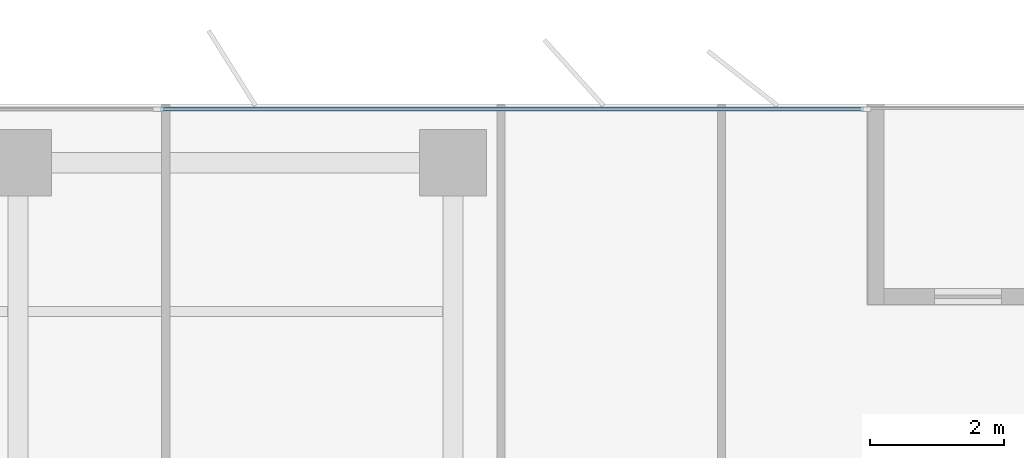
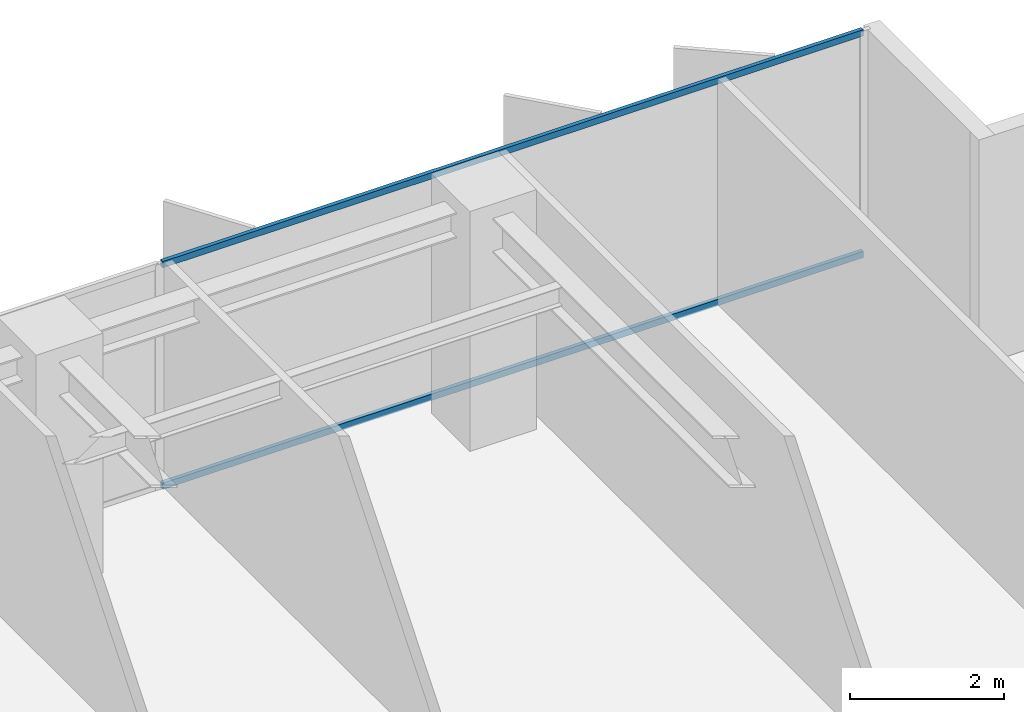
# One storey, part 11 of 22: 2 members, 1 element without a shape of its own.
"""IFC4 building model written with IfcOpenShell, lengths in metres."""

from ifc_helpers import new_model, si_unit, direction, frame, origin, origin_2d, place, context, subcontext, project, spatial, rectangle, extrude, material, layer, layer_set, material_profile, profile_set, type_object, element, aggregate, save


model = new_model("IFC4")

# Units and contexts
model_context = context("Model", 3, precision=1e-05, world=origin(), true_north=direction((0.0, 1.0)))
body_context = subcontext(model_context, "Body", "Model", "MODEL_VIEW")
ifc_project = project(units=[si_unit("LENGTHUNIT", "METRE"), si_unit("AREAUNIT", "SQUARE_METRE"), si_unit("VOLUMEUNIT", "CUBIC_METRE"), si_unit("PLANEANGLEUNIT", "RADIAN"), si_unit("MASSUNIT", "GRAM", prefix="KILO")], contexts=[model_context])

# Site, building, storey
site_placement = place(None, origin())
site = spatial("IfcSite", under=ifc_project, at=site_placement, CompositionType="ELEMENT")
building_placement = place(site_placement, origin())
building = spatial("IfcBuilding", under=site, at=building_placement, Name="Putna Gate Headquarters", CompositionType="ELEMENT")
storey_placement = place(building_placement, frame((0.0, 0.0, 189.800048828125)))
storey = spatial("IfcBuildingStorey", under=building, at=storey_placement, Name="L47", CompositionType="ELEMENT", Elevation=189.800048828125)

# Curtain wall, members
ifc_material_1 = material(Name="Anodised bronze aluminium curtain wall", Category="aluminium")
ifc_layer = layer(ifc_material_1, 0.159912109375)
ifc_layer_set = layer_set([ifc_layer], Name="Anodised bronze aluminium curtain wall")
curtain_wall_type = type_object("IfcCurtainWallType", Name="CW-SYS-Z3", PredefinedType="USERDEFINED", material=ifc_layer_set)
curtain_wall_placement = place(storey_placement, origin())
curtain_wall = element("IfcCurtainWall", 1, at=curtain_wall_placement, inside=storey, type_object=curtain_wall_type, Name="L47 North East Curtain Wall", ObjectType="STICK CURTAIN WALL", PredefinedType="USERDEFINED")
ifc_material_2 = material(Name="Anodised bronze aluminium EN AW-6060", Category="aluminium")
ifc_material_profile = material_profile(ifc_material_2, rectangle(XDim=0.06005859375, YDim=0.10009765625, at=origin_2d()), Name="Anodised bronze aluminium EN AW-6060")
ifc_profile_set = profile_set([ifc_material_profile], Name="Anodised bronze aluminium EN AW-6060")
member_type = type_object("IfcMemberType", Name="TRAN-CWT-3", PredefinedType="USERDEFINED", material=ifc_profile_set)
member_1_placement = place(storey_placement, frame((60.632568359375, 48.52001953125, 0.030029296875), z_axis=(1.0, 0.0, 0.0), x_axis=(0.0, 1.0, 0.0)))
member_1 = element("IfcMember", 2, at=member_1_placement, type_object=member_type, Name="CWS-3 transom 2.1", ObjectType="TRANSOM", PredefinedType="USERDEFINED", context=body_context, shape_type="SweptSolid", body=[
    extrude(rectangle(XDim=0.06005859375, YDim=0.10009765625, at=origin_2d()), origin(), (0.0, 0.0, 1.0), 10.50244140625),
])
member_2_placement = place(storey_placement, frame((60.632568359375, 48.52001953125, 3.5419921875), z_axis=(1.0, 0.0, 0.0), x_axis=(0.0, 1.0, 0.0)))
member_2 = element("IfcMember", 3, at=member_2_placement, type_object=member_type, Name="CWS-3 transom 2.2", ObjectType="TRANSOM", PredefinedType="USERDEFINED", context=body_context, shape_type="SweptSolid", body=[
    extrude(rectangle(XDim=0.06005859375, YDim=0.10009765625, at=origin_2d()), origin(), (0.0, 0.0, 1.0), 10.50244140625),
])
aggregate(curtain_wall, [member_1, member_2])

save(model, "model.ifc")
